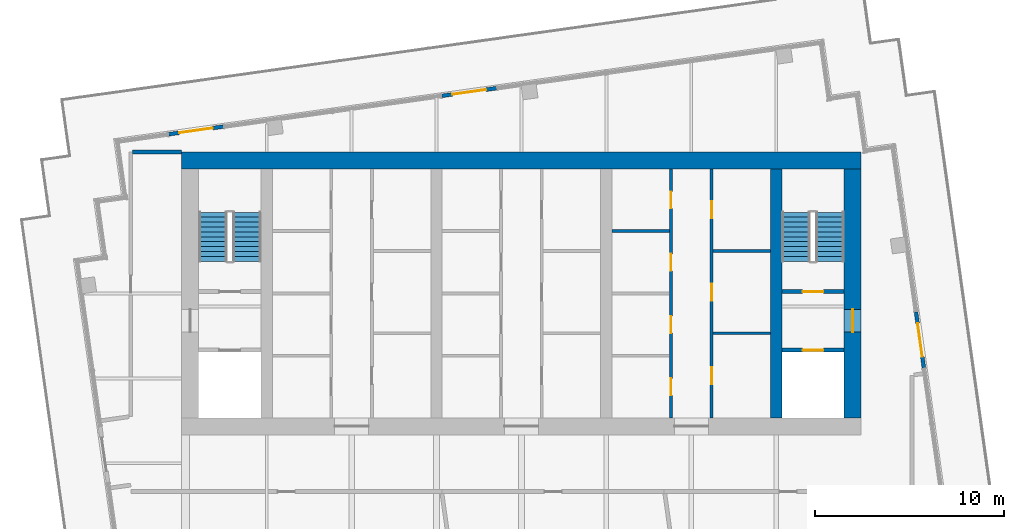
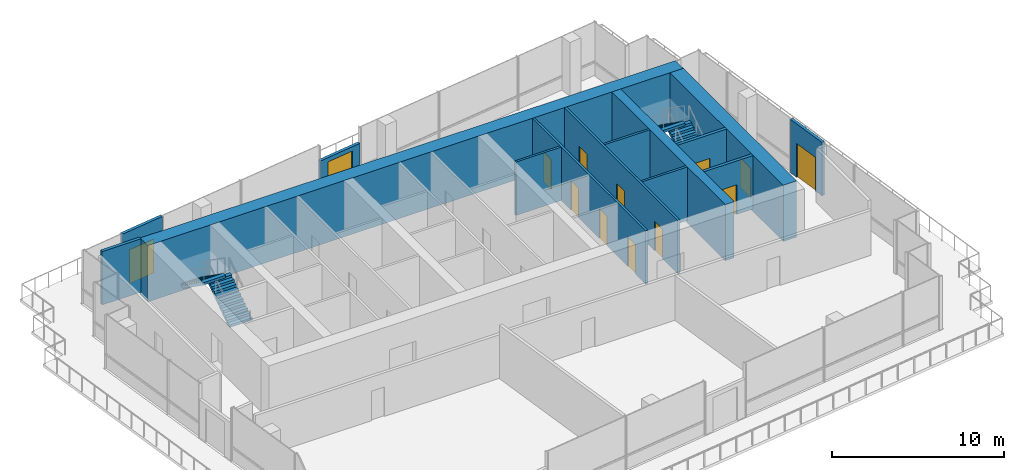
# One storey, part 8 of 12: 14 walls, 13 doors, 4 stair flights, 13 openings, 2 elements without a shape of their own.
"""IFC4 building model written with IfcOpenShell, lengths in metres."""

from ifc_helpers import new_model, si_unit, direction, frame, frame_2d, origin, place, context, subcontext, project, spatial, polyline, rectangle, outline, extrude, material, layer, layer_set, type_object, element, fill, aggregate, save


model = new_model("IFC4")

# Units and contexts
model_context = context("Model", 3, precision=1e-05, world=origin(), true_north=direction((0.0, 1.0)))
body_context = subcontext(model_context, "Body", "Model", "MODEL_VIEW")
ifc_project = project(units=[si_unit("LENGTHUNIT", "METRE"), si_unit("AREAUNIT", "SQUARE_METRE"), si_unit("VOLUMEUNIT", "CUBIC_METRE"), si_unit("PLANEANGLEUNIT", "RADIAN"), si_unit("MASSUNIT", "GRAM", prefix="KILO")], contexts=[model_context])

# Site, building, storey
site_placement = place(None, origin())
site = spatial("IfcSite", under=ifc_project, at=site_placement, CompositionType="ELEMENT")
building_placement = place(site_placement, origin())
building = spatial("IfcBuilding", under=site, at=building_placement, Name="Rattan Terrace Tower", CompositionType="ELEMENT")
storey_placement = place(building_placement, frame((0.0, 0.0, 292.300048828125)))
storey = spatial("IfcBuildingStorey", under=building, at=storey_placement, Name="C01", CompositionType="ELEMENT", Elevation=292.300048828125)

# Wall, openings, doors
ifc_material_1 = material(Name="Gypsum board partition")
ifc_layer_1 = layer(ifc_material_1, 0.14990234375)
ifc_layer_set_1 = layer_set([ifc_layer_1], Name="Core partition 150")
wall_type_1 = type_object("IfcWallType", Name="Core partition 150", PredefinedType="PARTITIONING", material=ifc_layer_set_1)
wall_1_placement = place(storey_placement, frame((7.925048828125, -6.60009765625, 0.0), z_axis=(0.0, 0.0, 1.0), x_axis=(0.0, 1.0, 0.0)))
wall_1 = element("IfcWall", 1, at=wall_1_placement, inside=storey, type_object=wall_type_1, Name="Core room wall", PredefinedType="PARTITIONING", context=body_context, shape_type="SweptSolid", body=[
    extrude(rectangle(XDim=13.2001953125, YDim=0.14990234375, at=frame_2d((6.60009765625, 0.0))), origin(), (0.0, 0.0, 1.0), 3.800048828125),
])
opening_1_placement = place(wall_1_placement, frame((1.199951171875, 0.0, 0.0)))
opening_1 = element("IfcOpeningElement", 2, at=opening_1_placement, cuts=wall_1, Name="Opening C01-D021", PredefinedType="OPENING", context=body_context, shape_type="SweptSolid", body=[
    extrude(rectangle(XDim=0.89990234375, YDim=2.10009765625, at=frame_2d((0.449951171875, 1.050048828125))), frame((0.0, 0.08544921875, 0.0), z_axis=(0.0, -1.0, 0.0), x_axis=(1.0, 0.0, 0.0)), (0.0, 0.0, 1.0), 0.1708984375),
])
opening_2_placement = place(wall_1_placement, frame((4.5, 0.0, 0.0)))
opening_2 = element("IfcOpeningElement", 3, at=opening_2_placement, cuts=wall_1, Name="Opening C01-D022", PredefinedType="OPENING", context=body_context, shape_type="SweptSolid", body=[
    extrude(rectangle(XDim=0.89990234375, YDim=2.10009765625, at=frame_2d((0.449951171875, 1.050048828125))), frame((0.0, 0.08544921875, 0.0), z_axis=(0.0, -1.0, 0.0), x_axis=(1.0, 0.0, 0.0)), (0.0, 0.0, 1.0), 0.1708984375),
])
opening_3_placement = place(wall_1_placement, frame((7.800048828125, 0.0, 0.0)))
opening_3 = element("IfcOpeningElement", 4, at=opening_3_placement, cuts=wall_1, Name="Opening C01-D023", PredefinedType="OPENING", context=body_context, shape_type="SweptSolid", body=[
    extrude(rectangle(XDim=0.89990234375, YDim=2.10009765625, at=frame_2d((0.449951171875, 1.050048828125))), frame((0.0, 0.08544921875, 0.0), z_axis=(0.0, -1.0, 0.0), x_axis=(1.0, 0.0, 0.0)), (0.0, 0.0, 1.0), 0.1708984375),
])
opening_4_placement = place(wall_1_placement, frame((11.10009765625, 0.0, 0.0)))
opening_4 = element("IfcOpeningElement", 5, at=opening_4_placement, cuts=wall_1, Name="Opening C01-D024", PredefinedType="OPENING", context=body_context, shape_type="SweptSolid", body=[
    extrude(rectangle(XDim=0.89990234375, YDim=2.10009765625, at=frame_2d((0.449951171875, 1.050048828125))), frame((0.0, 0.08544921875, 0.0), z_axis=(0.0, -1.0, 0.0), x_axis=(1.0, 0.0, 0.0)), (0.0, 0.0, 1.0), 0.1708984375),
])
ifc_material_2 = material(Name="Hollow-metal fire door leaf")
door_type_1 = type_object("IfcDoorType", Name="Core service room door 900", OperationType="NOTDEFINED", PredefinedType="DOOR", material=ifc_material_2)
door_1_placement = place(opening_1_placement, origin())
door_1 = element("IfcDoor", 6, at=door_1_placement, inside=storey, type_object=door_type_1, Name="Door C01-D021", OperationType="SINGLE_SWING_LEFT", OverallHeight=2.10009765625, OverallWidth=0.89990234375, PredefinedType="DOOR", context=body_context, shape_type="SweptSolid", body=[
    extrude(rectangle(XDim=0.89990234375, YDim=2.10009765625, at=frame_2d((0.449951171875, 1.050048828125))), frame((0.0, 0.02490234375, 0.0), z_axis=(0.0, -1.0, 0.0), x_axis=(1.0, 0.0, 0.0)), (0.0, 0.0, 1.0), 0.050048828125),
])
fill(opening_1, door_1)
door_2_placement = place(opening_2_placement, origin())
door_2 = element("IfcDoor", 7, at=door_2_placement, inside=storey, type_object=door_type_1, Name="Door C01-D022", OperationType="SINGLE_SWING_RIGHT", OverallHeight=2.10009765625, OverallWidth=0.89990234375, PredefinedType="DOOR", context=body_context, shape_type="SweptSolid", body=[
    extrude(rectangle(XDim=0.89990234375, YDim=2.10009765625, at=frame_2d((0.449951171875, 1.050048828125))), frame((0.0, 0.02490234375, 0.0), z_axis=(0.0, -1.0, 0.0), x_axis=(1.0, 0.0, 0.0)), (0.0, 0.0, 1.0), 0.050048828125),
])
fill(opening_2, door_2)
door_3_placement = place(opening_3_placement, origin())
door_3 = element("IfcDoor", 8, at=door_3_placement, inside=storey, type_object=door_type_1, Name="Door C01-D023", OperationType="SINGLE_SWING_LEFT", OverallHeight=2.10009765625, OverallWidth=0.89990234375, PredefinedType="DOOR", context=body_context, shape_type="SweptSolid", body=[
    extrude(rectangle(XDim=0.89990234375, YDim=2.10009765625, at=frame_2d((0.449951171875, 1.050048828125))), frame((0.0, 0.02490234375, 0.0), z_axis=(0.0, -1.0, 0.0), x_axis=(1.0, 0.0, 0.0)), (0.0, 0.0, 1.0), 0.050048828125),
])
fill(opening_3, door_3)
door_4_placement = place(opening_4_placement, origin())
door_4 = element("IfcDoor", 9, at=door_4_placement, inside=storey, type_object=door_type_1, Name="Door C01-D024", OperationType="SINGLE_SWING_RIGHT", OverallHeight=2.10009765625, OverallWidth=0.89990234375, PredefinedType="DOOR", context=body_context, shape_type="SweptSolid", body=[
    extrude(rectangle(XDim=0.89990234375, YDim=2.10009765625, at=frame_2d((0.449951171875, 1.050048828125))), frame((0.0, 0.02490234375, 0.0), z_axis=(0.0, -1.0, 0.0), x_axis=(1.0, 0.0, 0.0)), (0.0, 0.0, 1.0), 0.050048828125),
])
fill(opening_4, door_4)

# Wall
wall_2_placement = place(storey_placement, frame((4.800048828125, 3.300048828125, 0.0), z_axis=(0.0, 0.0, 1.0), x_axis=(1.0, 0.0, 0.0)))
element("IfcWall", 10, at=wall_2_placement, inside=storey, type_object=wall_type_1, Name="Core room wall", PredefinedType="PARTITIONING", context=body_context, shape_type="SweptSolid", body=[
    extrude(rectangle(XDim=3.050048828125, YDim=0.14990234375, at=frame_2d((1.52490234375, 0.0))), origin(), (0.0, 0.0, 1.0), 3.800048828125),
])

# Wall, openings, doors
wall_3_placement = place(storey_placement, frame((10.074951171875, -6.60009765625, 0.0), z_axis=(0.0, 0.0, 1.0), x_axis=(0.0, 1.0, 0.0)))
wall_3 = element("IfcWall", 11, at=wall_3_placement, inside=storey, type_object=wall_type_1, Name="Core room wall", PredefinedType="PARTITIONING", context=body_context, shape_type="SweptSolid", body=[
    extrude(rectangle(XDim=13.2001953125, YDim=0.14990234375, at=frame_2d((6.60009765625, 0.0))), origin(), (0.0, 0.0, 1.0), 3.800048828125),
])
opening_5_placement = place(wall_3_placement, frame((1.7939453125, 0.0, 0.0)))
opening_5 = element("IfcOpeningElement", 12, at=opening_5_placement, cuts=wall_3, Name="Opening C01-D025", PredefinedType="OPENING", context=body_context, shape_type="SweptSolid", body=[
    extrude(rectangle(XDim=0.89990234375, YDim=2.10009765625, at=frame_2d((0.449951171875, 1.050048828125))), frame((0.0, 0.08544921875, 0.0), z_axis=(0.0, -1.0, 0.0), x_axis=(1.0, 0.0, 0.0)), (0.0, 0.0, 1.0), 0.1708984375),
])
opening_6_placement = place(wall_3_placement, frame((6.216064453125, 0.0, 0.0)))
opening_6 = element("IfcOpeningElement", 13, at=opening_6_placement, cuts=wall_3, Name="Opening C01-D026", PredefinedType="OPENING", context=body_context, shape_type="SweptSolid", body=[
    extrude(rectangle(XDim=0.89990234375, YDim=2.10009765625, at=frame_2d((0.449951171875, 1.050048828125))), frame((0.0, 0.08544921875, 0.0), z_axis=(0.0, -1.0, 0.0), x_axis=(1.0, 0.0, 0.0)), (0.0, 0.0, 1.0), 0.1708984375),
])
opening_7_placement = place(wall_3_placement, frame((10.572021484375, 0.0, 0.0)))
opening_7 = element("IfcOpeningElement", 14, at=opening_7_placement, cuts=wall_3, Name="Opening C01-D027", PredefinedType="OPENING", context=body_context, shape_type="SweptSolid", body=[
    extrude(rectangle(XDim=0.89990234375, YDim=2.10009765625, at=frame_2d((0.449951171875, 1.050048828125))), frame((0.0, 0.08544921875, 0.0), z_axis=(0.0, -1.0, 0.0), x_axis=(1.0, 0.0, 0.0)), (0.0, 0.0, 1.0), 0.1708984375),
])
door_5_placement = place(opening_5_placement, origin())
door_5 = element("IfcDoor", 15, at=door_5_placement, inside=storey, type_object=door_type_1, Name="Door C01-D025", OperationType="SINGLE_SWING_LEFT", OverallHeight=2.10009765625, OverallWidth=0.89990234375, PredefinedType="DOOR", context=body_context, shape_type="SweptSolid", body=[
    extrude(rectangle(XDim=0.89990234375, YDim=2.10009765625, at=frame_2d((0.449951171875, 1.050048828125))), frame((0.0, 0.02490234375, 0.0), z_axis=(0.0, -1.0, 0.0), x_axis=(1.0, 0.0, 0.0)), (0.0, 0.0, 1.0), 0.050048828125),
])
fill(opening_5, door_5)
door_6_placement = place(opening_6_placement, origin())
door_6 = element("IfcDoor", 16, at=door_6_placement, inside=storey, type_object=door_type_1, Name="Door C01-D026", OperationType="SINGLE_SWING_RIGHT", OverallHeight=2.10009765625, OverallWidth=0.89990234375, PredefinedType="DOOR", context=body_context, shape_type="SweptSolid", body=[
    extrude(rectangle(XDim=0.89990234375, YDim=2.10009765625, at=frame_2d((0.449951171875, 1.050048828125))), frame((0.0, 0.02490234375, 0.0), z_axis=(0.0, -1.0, 0.0), x_axis=(1.0, 0.0, 0.0)), (0.0, 0.0, 1.0), 0.050048828125),
])
fill(opening_6, door_6)
door_7_placement = place(opening_7_placement, origin())
door_7 = element("IfcDoor", 17, at=door_7_placement, inside=storey, type_object=door_type_1, Name="Door C01-D027", OperationType="SINGLE_SWING_LEFT", OverallHeight=2.10009765625, OverallWidth=0.89990234375, PredefinedType="DOOR", context=body_context, shape_type="SweptSolid", body=[
    extrude(rectangle(XDim=0.89990234375, YDim=2.10009765625, at=frame_2d((0.449951171875, 1.050048828125))), frame((0.0, 0.02490234375, 0.0), z_axis=(0.0, -1.0, 0.0), x_axis=(1.0, 0.0, 0.0)), (0.0, 0.0, 1.0), 0.050048828125),
])
fill(opening_7, door_7)

# Walls
for number, where, z_axis, x_axis, name in (
    (18, (10.14990234375, -2.112060546875, 0.0), (0.0, 0.0, 1.0), (1.0, 0.0, 0.0), "Core room wall"),
    (19, (10.14990234375, 2.243896484375, 0.0), (0.0, 0.0, 1.0), (1.0, 0.0, 0.0), "Core room wall"),
):
    element("IfcWall", number, at=place(storey_placement, frame(where, z_axis=z_axis, x_axis=x_axis)), inside=storey, type_object=wall_type_1, Name=name, PredefinedType="PARTITIONING", context=body_context, shape_type="SweptSolid", body=[
        extrude(rectangle(XDim=3.050048828125, YDim=0.14990234375, at=frame_2d((1.52490234375, 0.0))), origin(), (0.0, 0.0, 1.0), 3.800048828125),
    ])

# Wall, opening, door
ifc_material_3 = material(Name="Gypsum board partition")
ifc_layer_2 = layer(ifc_material_3, 0.199951171875)
ifc_layer_set_2 = layer_set([ifc_layer_2], Name="Core partition 200")
wall_type_2 = type_object("IfcWallType", Name="Core partition 200", PredefinedType="PARTITIONING", material=ifc_layer_set_2)
wall_4_placement = place(storey_placement, frame((13.800048828125, -3.0, 0.0), z_axis=(0.0, 0.0, 1.0), x_axis=(1.0, 0.0, 0.0)))
wall_4 = element("IfcWall", 20, at=wall_4_placement, inside=storey, type_object=wall_type_2, Name="Fire-fighting lobby wall", PredefinedType="PARTITIONING", context=body_context, shape_type="SweptSolid", body=[
    extrude(rectangle(XDim=3.300048828125, YDim=0.199951171875, at=frame_2d((1.64990234375, 0.0))), origin(), (0.0, 0.0, 1.0), 3.800048828125),
])
opening_8_placement = place(wall_4_placement, frame((1.10009765625, 0.0, 0.0)))
opening_8 = element("IfcOpeningElement", 21, at=opening_8_placement, cuts=wall_4, Name="Opening C01-LD-FF2", PredefinedType="OPENING", context=body_context, shape_type="SweptSolid", body=[
    extrude(rectangle(XDim=1.10009765625, YDim=2.10009765625, at=frame_2d((0.550048828125, 1.050048828125))), frame((0.0, 0.110595703125, 0.0), z_axis=(0.0, -1.0, 0.0), x_axis=(1.0, 0.0, 0.0)), (0.0, 0.0, 1.0), 0.220947265625),
])
ifc_material_4 = material(Name="Brushed stainless landing door panel")
door_type_2 = type_object("IfcDoorType", Name="Core lift landing door 1100", OperationType="DOUBLE_DOOR_SLIDING", PredefinedType="DOOR", material=ifc_material_4)
door_8_placement = place(opening_8_placement, origin())
door_8 = element("IfcDoor", 22, at=door_8_placement, inside=storey, type_object=door_type_2, Name="Door C01-LD-FF2", OperationType="DOUBLE_DOOR_SLIDING", OverallHeight=2.10009765625, OverallWidth=1.10009765625, PredefinedType="DOOR", context=body_context, shape_type="SweptSolid", body=[
    extrude(rectangle(XDim=1.10009765625, YDim=2.10009765625, at=frame_2d((0.550048828125, 1.050048828125))), frame((0.0, 0.02490234375, 0.0), z_axis=(0.0, -1.0, 0.0), x_axis=(1.0, 0.0, 0.0)), (0.0, 0.0, 1.0), 0.050048828125),
])
fill(opening_8, door_8)

wall_5_placement = place(storey_placement, frame((13.800048828125, 0.10009765625, 0.0), z_axis=(0.0, 0.0, 1.0), x_axis=(1.0, 0.0, 0.0)))
wall_5 = element("IfcWall", 23, at=wall_5_placement, inside=storey, type_object=wall_type_2, Name="Stair enclosure wall", PredefinedType="PARTITIONING", context=body_context, shape_type="SweptSolid", body=[
    extrude(rectangle(XDim=3.300048828125, YDim=0.199951171875, at=frame_2d((1.64990234375, 0.0))), origin(), (0.0, 0.0, 1.0), 3.800048828125),
])
opening_9_placement = place(wall_5_placement, frame((1.10009765625, 0.0, 0.0)))
opening_9 = element("IfcOpeningElement", 24, at=opening_9_placement, cuts=wall_5, Name="Opening C01-D004", PredefinedType="OPENING", context=body_context, shape_type="SweptSolid", body=[
    extrude(rectangle(XDim=1.10009765625, YDim=2.10009765625, at=frame_2d((0.550048828125, 1.050048828125))), frame((0.0, 0.110595703125, 0.0), z_axis=(0.0, -1.0, 0.0), x_axis=(1.0, 0.0, 0.0)), (0.0, 0.0, 1.0), 0.220947265625),
])
ifc_material_5 = material(Name="Hollow-metal fire door leaf")
door_type_3 = type_object("IfcDoorType", Name="Core stair door 1100", OperationType="NOTDEFINED", PredefinedType="DOOR", material=ifc_material_5)
door_9_placement = place(opening_9_placement, origin())
door_9 = element("IfcDoor", 25, at=door_9_placement, inside=storey, type_object=door_type_3, Name="Door C01-D004", OperationType="SINGLE_SWING_RIGHT", OverallHeight=2.10009765625, OverallWidth=1.10009765625, PredefinedType="DOOR", context=body_context, shape_type="SweptSolid", body=[
    extrude(rectangle(XDim=1.10009765625, YDim=2.10009765625, at=frame_2d((0.550048828125, 1.050048828125))), frame((0.0, 0.02490234375, 0.0), z_axis=(0.0, -1.0, 0.0), x_axis=(1.0, 0.0, 0.0)), (0.0, 0.0, 1.0), 0.050048828125),
])
fill(opening_9, door_9)

# Wall
ifc_material_6 = material(Name="Concrete C50/60", Category="concrete")
ifc_layer_3 = layer(ifc_material_6, 0.89990234375)
ifc_layer_set_3 = layer_set([ifc_layer_3], Name="Core ring wall 900 C50/60")
wall_type_3 = type_object("IfcWallType", Name="Core ring wall 900 C50/60", PredefinedType="SHEAR", material=ifc_layer_set_3)
wall_6_placement = place(storey_placement, frame((-18.0, 7.050048828125, -0.199951171875), z_axis=(0.0, 0.0, 1.0), x_axis=(1.0, 0.0, 0.0)))
element("IfcWall", 26, at=wall_6_placement, inside=storey, type_object=wall_type_3, Name="Rear core wall north", PredefinedType="SHEAR", context=body_context, shape_type="SweptSolid", body=[
    extrude(rectangle(XDim=36.0, YDim=0.89990234375, at=frame_2d((18.0, 0.0))), origin(), (0.0, 0.0, 1.0), 4.0),
])

# Wall, opening, door
wall_7_placement = place(storey_placement, frame((17.550048828125, -6.60009765625, -0.199951171875), z_axis=(0.0, 0.0, 1.0), x_axis=(0.0, 1.0, 0.0)))
wall_7 = element("IfcWall", 27, at=wall_7_placement, inside=storey, type_object=wall_type_3, Name="Rear core wall east", PredefinedType="SHEAR", context=body_context, shape_type="SweptSolid", body=[
    extrude(rectangle(XDim=13.2001953125, YDim=0.89990234375, at=frame_2d((6.60009765625, 0.0))), origin(), (0.0, 0.0, 1.0), 4.0),
])
opening_10_placement = place(wall_7_placement, frame((4.550048828125, 0.0, 0.199951171875)))
opening_10 = element("IfcOpeningElement", 28, at=opening_10_placement, cuts=wall_7, Name="Opening C01-D003", PredefinedType="OPENING", context=body_context, shape_type="SweptSolid", body=[
    extrude(rectangle(XDim=1.199951171875, YDim=2.10009765625, at=frame_2d((0.60009765625, 1.050048828125))), frame((0.0, 0.46044921875, 0.0), z_axis=(0.0, -1.0, 0.0), x_axis=(1.0, 0.0, 0.0)), (0.0, 0.0, 1.0), 0.9208984375),
])
ifc_material_7 = material(Name="Hollow-metal fire door leaf")
door_type_4 = type_object("IfcDoorType", Name="Core fire-fighting lobby door 1200", OperationType="NOTDEFINED", PredefinedType="DOOR", material=ifc_material_7)
door_10_placement = place(opening_10_placement, origin())
door_10 = element("IfcDoor", 29, at=door_10_placement, inside=storey, type_object=door_type_4, Name="Door C01-D003", OperationType="SINGLE_SWING_LEFT", OverallHeight=2.10009765625, OverallWidth=1.199951171875, PredefinedType="DOOR", context=body_context, shape_type="SweptSolid", body=[
    extrude(rectangle(XDim=1.199951171875, YDim=2.10009765625, at=frame_2d((0.60009765625, 1.050048828125))), frame((0.0, 0.02490234375, 0.0), z_axis=(0.0, -1.0, 0.0), x_axis=(1.0, 0.0, 0.0)), (0.0, 0.0, 1.0), 0.050048828125),
])
fill(opening_10, door_10)

# Wall
ifc_material_8 = material(Name="Concrete C50/60", Category="concrete")
ifc_layer_4 = layer(ifc_material_8, 0.60009765625)
ifc_layer_set_4 = layer_set([ifc_layer_4], Name="Core spine wall 600 C50/60")
wall_type_4 = type_object("IfcWallType", Name="Core spine wall 600 C50/60", PredefinedType="SHEAR", material=ifc_layer_set_4)
wall_8_placement = place(storey_placement, frame((13.5, -6.60009765625, -0.199951171875), z_axis=(0.0, 0.0, 1.0), x_axis=(0.0, 1.0, 0.0)))
element("IfcWall", 30, at=wall_8_placement, inside=storey, type_object=wall_type_4, Name="Core spine wall 4", PredefinedType="SHEAR", context=body_context, shape_type="SweptSolid", body=[
    extrude(rectangle(XDim=13.2001953125, YDim=0.60009765625, at=frame_2d((6.60009765625, 0.0))), origin(), (0.0, 0.0, 1.0), 4.0),
])

# Wall, opening, door
ifc_material_9 = material(Name="Insulated aluminium-clad stud wall", Category="aluminium")
ifc_layer_5 = layer(ifc_material_9, 0.199951171875)
ifc_layer_set_5 = layer_set([ifc_layer_5], Name="Facade Door Wall 200")
wall_type_5 = type_object("IfcWallType", Name="Facade Door Wall 200", PredefinedType="SOLIDWALL", material=ifc_layer_set_5)
wall_9_placement = place(storey_placement, frame((21.325927734375, -3.9482421875, 0.0), z_axis=(0.0, 0.0, 1.0), x_axis=(-0.139165050317, 0.990269200152, 0.0)))
wall_9 = element("IfcWall", 31, at=wall_9_placement, inside=storey, type_object=wall_type_5, Name="Terrace door wall C01-4", PredefinedType="SOLIDWALL", context=body_context, shape_type="SweptSolid", body=[
    extrude(rectangle(XDim=3.0, YDim=0.199951171875, at=frame_2d((1.5, 0.0))), origin(), (0.0, 0.0, 1.0), 3.800048828125),
])
opening_11_placement = place(wall_9_placement, frame((0.60009765625, 0.0, 0.0)))
opening_11 = element("IfcOpeningElement", 32, at=opening_11_placement, cuts=wall_9, Name="Opening C01-D704", PredefinedType="OPENING", context=body_context, shape_type="SweptSolid", body=[
    extrude(rectangle(XDim=1.800048828125, YDim=2.39990234375, at=frame_2d((0.89990234375, 1.199951171875))), frame((0.0, 0.110595703125, 0.0), z_axis=(0.0, -1.0, 0.0), x_axis=(1.0, 0.0, 0.0)), (0.0, 0.0, 1.0), 0.220947265625),
])
ifc_material_10 = material(Name="Aluminium and clear glass", Category="aluminium")
door_type_5 = type_object("IfcDoorType", Name="Facade Terrace Door 1800", OperationType="DOUBLE_DOOR_SINGLE_SWING", PredefinedType="DOOR", material=ifc_material_10)
door_11_placement = place(opening_11_placement, origin())
door_11 = element("IfcDoor", 33, at=door_11_placement, inside=storey, type_object=door_type_5, Name="Terrace door C01-D704", OperationType="DOUBLE_DOOR_SINGLE_SWING", OverallHeight=2.39990234375, OverallWidth=1.800048828125, PredefinedType="DOOR", context=body_context, shape_type="SweptSolid", body=[
    extrude(rectangle(XDim=1.800048828125, YDim=2.39990234375, at=frame_2d((0.89990234375, 1.199951171875))), frame((0.0, 0.02490234375, 0.0), z_axis=(0.0, -1.0, 0.0), x_axis=(1.0, 0.0, 0.0)), (0.0, 0.0, 1.0), 0.050048828125),
])
fill(opening_11, door_11)

wall_10_placement = place(storey_placement, frame((-1.32470703125, 10.874755859375, 0.0), z_axis=(0.0, 0.0, 1.0), x_axis=(-0.990259458072, -0.139234355314, 0.0)))
wall_10 = element("IfcWall", 34, at=wall_10_placement, inside=storey, type_object=wall_type_5, Name="Terrace door wall C01-5", PredefinedType="SOLIDWALL", context=body_context, shape_type="SweptSolid", body=[
    extrude(rectangle(XDim=2.923095703125, YDim=0.199951171875, at=frame_2d((1.46142578125, 0.0))), origin(), (0.0, 0.0, 1.0), 2.699951171875),
])
opening_12_placement = place(wall_10_placement, frame((0.5615234375, 0.0, 0.0)))
opening_12 = element("IfcOpeningElement", 35, at=opening_12_placement, cuts=wall_10, Name="Opening C01-D705", PredefinedType="OPENING", context=body_context, shape_type="SweptSolid", body=[
    extrude(rectangle(XDim=1.800048828125, YDim=2.39990234375, at=frame_2d((0.89990234375, 1.199951171875))), frame((0.0, 0.110595703125, 0.0), z_axis=(0.0, -1.0, 0.0), x_axis=(1.0, 0.0, 0.0)), (0.0, 0.0, 1.0), 0.220947265625),
])
door_12_placement = place(opening_12_placement, origin())
door_12 = element("IfcDoor", 36, at=door_12_placement, inside=storey, type_object=door_type_5, Name="Terrace door C01-D705", OperationType="DOUBLE_DOOR_SINGLE_SWING", OverallHeight=2.39990234375, OverallWidth=1.800048828125, PredefinedType="DOOR", context=body_context, shape_type="SweptSolid", body=[
    extrude(rectangle(XDim=1.800048828125, YDim=2.39990234375, at=frame_2d((0.89990234375, 1.199951171875))), frame((0.0, 0.02490234375, 0.0), z_axis=(0.0, -1.0, 0.0), x_axis=(1.0, 0.0, 0.0)), (0.0, 0.0, 1.0), 0.050048828125),
])
fill(opening_12, door_12)

wall_11_placement = place(storey_placement, frame((-15.79736328125, 8.840576171875, 0.0), z_axis=(0.0, 0.0, 1.0), x_axis=(-0.990270970939, -0.139152449189, 0.0)))
wall_11 = element("IfcWall", 37, at=wall_11_placement, inside=storey, type_object=wall_type_5, Name="Terrace door wall C01-6", PredefinedType="SOLIDWALL", context=body_context, shape_type="SweptSolid", body=[
    extrude(rectangle(XDim=2.9228515625, YDim=0.199951171875, at=frame_2d((1.46142578125, 0.0))), origin(), (0.0, 0.0, 1.0), 3.800048828125),
])
opening_13_placement = place(wall_11_placement, frame((0.5615234375, 0.0, 0.0)))
opening_13 = element("IfcOpeningElement", 38, at=opening_13_placement, cuts=wall_11, Name="Opening C01-D706", PredefinedType="OPENING", context=body_context, shape_type="SweptSolid", body=[
    extrude(rectangle(XDim=1.800048828125, YDim=2.39990234375, at=frame_2d((0.89990234375, 1.199951171875))), frame((0.0, 0.110595703125, 0.0), z_axis=(0.0, -1.0, 0.0), x_axis=(1.0, 0.0, 0.0)), (0.0, 0.0, 1.0), 0.220947265625),
])
door_13_placement = place(opening_13_placement, origin())
door_13 = element("IfcDoor", 39, at=door_13_placement, inside=storey, type_object=door_type_5, Name="Terrace door C01-D706", OperationType="DOUBLE_DOOR_SINGLE_SWING", OverallHeight=2.39990234375, OverallWidth=1.800048828125, PredefinedType="DOOR", context=body_context, shape_type="SweptSolid", body=[
    extrude(rectangle(XDim=1.800048828125, YDim=2.39990234375, at=frame_2d((0.89990234375, 1.199951171875))), frame((0.0, 0.02490234375, 0.0), z_axis=(0.0, -1.0, 0.0), x_axis=(1.0, 0.0, 0.0)), (0.0, 0.0, 1.0), 0.050048828125),
])
fill(opening_13, door_13)

# Wall
ifc_material_11 = material(Name="Concrete block wall, plastered", Category="concrete")
ifc_layer_6 = layer(ifc_material_11, 0.199951171875)
ifc_layer_set_6 = layer_set([ifc_layer_6], Name="Floors Plant Wall 200")
wall_type_6 = type_object("IfcWallType", Name="Floors Plant Wall 200", PredefinedType="PARTITIONING", material=ifc_layer_set_6)
wall_12_placement = place(storey_placement, frame((-20.60009765625, 7.5009765625, 0.0), z_axis=(0.0, 0.0, 1.0), x_axis=(1.0, 0.0, 0.0)))
element("IfcWall", 40, at=wall_12_placement, inside=storey, type_object=wall_type_6, Name="pt-C01-009", PredefinedType="PARTITIONING", context=body_context, shape_type="SweptSolid", body=[
    extrude(rectangle(XDim=2.60009765625, YDim=0.199951171875, at=frame_2d((1.300048828125, 0.0))), origin(), (0.0, 0.0, 1.0), 3.800048828125),
])

# Stair, stair flights
ifc_material_12 = material(Name="Concrete C40/50", Category="concrete")
stair_type = type_object("IfcStairType", Name="Core exit stair 1500", PredefinedType="HALF_TURN_STAIR", material=ifc_material_12)
stair_1_placement = place(storey_placement, origin())
stair_1 = element("IfcStair", 41, at=stair_1_placement, inside=storey, type_object=stair_type, Name="C01 exit stair 1", PredefinedType="HALF_TURN_STAIR")
ifc_material_13 = material(Name="Concrete C40/50", Category="concrete")
stair_flight_type = type_object("IfcStairFlightType", Name="Core exit stair flight 1500", PredefinedType="STRAIGHT", material=ifc_material_13)
stair_flight_1_placement = place(storey_placement, frame((-14.550048828125, 1.699951171875, 0.0), z_axis=(0.0, 0.0, 1.0), x_axis=(0.0, 1.0, 0.0)))
stair_flight_1 = element("IfcStairFlight", 42, at=stair_flight_1_placement, type_object=stair_flight_type, Name="S1 flight 1", NumberOfRisers=11, NumberOfTreads=10, PredefinedType="STRAIGHT", RiserHeight=0.181818182, TreadLength=0.26, context=body_context, shape_type="SweptSolid", body=[
    extrude(outline(polyline([(0.0, 0.0), (0.0, 0.181884765625), (0.260009765625, 0.181884765625), (0.260009765625, 0.363525390625), (0.52001953125, 0.363525390625), (0.52001953125, 0.54541015625), (0.780029296875, 0.54541015625), (0.780029296875, 0.727294921875), (1.0400390625, 0.727294921875), (1.0400390625, 0.9091796875), (1.300048828125, 0.9091796875), (1.300048828125, 1.0908203125), (1.56005859375, 1.0908203125), (1.56005859375, 1.272705078125), (1.820068359375, 1.272705078125), (1.820068359375, 1.45458984375), (2.080078125, 1.45458984375), (2.080078125, 1.636474609375), (2.340087890625, 1.636474609375), (2.340087890625, 1.818115234375), (2.60009765625, 1.818115234375), (2.60009765625, 2.0), (2.60009765625, 1.63525390625), (0.261474609375, 0.0), (0.0, 0.0)])), frame((0.0, 0.75, 0.0), z_axis=(0.0, -1.0, 0.0), x_axis=(1.0, 0.0, 0.0)), (0.0, 0.0, 1.0), 1.5),
])
stair_flight_2_placement = place(storey_placement, frame((-16.35009765625, 4.300048828125, 2.0), z_axis=(0.0, 0.0, 1.0), x_axis=(0.0, -1.0, 0.0)))
stair_flight_2 = element("IfcStairFlight", 43, at=stair_flight_2_placement, type_object=stair_flight_type, Name="S1 flight 2", NumberOfRisers=11, NumberOfTreads=10, PredefinedType="STRAIGHT", RiserHeight=0.181818182, TreadLength=0.26, context=body_context, shape_type="SweptSolid", body=[
    extrude(outline(polyline([(0.0, 0.0), (0.0, 0.181884765625), (0.260009765625, 0.181884765625), (0.260009765625, 0.363525390625), (0.52001953125, 0.363525390625), (0.52001953125, 0.54541015625), (0.780029296875, 0.54541015625), (0.780029296875, 0.727294921875), (1.0400390625, 0.727294921875), (1.0400390625, 0.9091796875), (1.300048828125, 0.9091796875), (1.300048828125, 1.0908203125), (1.56005859375, 1.0908203125), (1.56005859375, 1.272705078125), (1.820068359375, 1.272705078125), (1.820068359375, 1.45458984375), (2.080078125, 1.45458984375), (2.080078125, 1.636474609375), (2.340087890625, 1.636474609375), (2.340087890625, 1.818115234375), (2.60009765625, 1.818115234375), (2.60009765625, 2.0), (2.60009765625, 1.63525390625), (0.261474609375, 0.0), (0.0, 0.0)])), frame((0.0, 0.75, 0.0), z_axis=(0.0, -1.0, 0.0), x_axis=(1.0, 0.0, 0.0)), (0.0, 0.0, 1.0), 1.5),
])
aggregate(stair_1, [stair_flight_1, stair_flight_2])

stair_2_placement = place(storey_placement, origin())
stair_2 = element("IfcStair", 44, at=stair_2_placement, inside=storey, type_object=stair_type, Name="C01 exit stair 2", PredefinedType="HALF_TURN_STAIR")
stair_flight_3_placement = place(storey_placement, frame((16.35009765625, 1.699951171875, 0.0), z_axis=(0.0, 0.0, 1.0), x_axis=(0.0, 1.0, 0.0)))
stair_flight_3 = element("IfcStairFlight", 45, at=stair_flight_3_placement, type_object=stair_flight_type, Name="S2 flight 1", NumberOfRisers=11, NumberOfTreads=10, PredefinedType="STRAIGHT", RiserHeight=0.181818182, TreadLength=0.26, context=body_context, shape_type="SweptSolid", body=[
    extrude(outline(polyline([(0.0, 0.0), (0.0, 0.181884765625), (0.260009765625, 0.181884765625), (0.260009765625, 0.363525390625), (0.52001953125, 0.363525390625), (0.52001953125, 0.54541015625), (0.780029296875, 0.54541015625), (0.780029296875, 0.727294921875), (1.0400390625, 0.727294921875), (1.0400390625, 0.9091796875), (1.300048828125, 0.9091796875), (1.300048828125, 1.0908203125), (1.56005859375, 1.0908203125), (1.56005859375, 1.272705078125), (1.820068359375, 1.272705078125), (1.820068359375, 1.45458984375), (2.080078125, 1.45458984375), (2.080078125, 1.636474609375), (2.340087890625, 1.636474609375), (2.340087890625, 1.818115234375), (2.60009765625, 1.818115234375), (2.60009765625, 2.0), (2.60009765625, 1.63525390625), (0.261474609375, 0.0), (0.0, 0.0)])), frame((0.0, 0.75, 0.0), z_axis=(0.0, -1.0, 0.0), x_axis=(1.0, 0.0, 0.0)), (0.0, 0.0, 1.0), 1.5),
])
stair_flight_4_placement = place(storey_placement, frame((14.550048828125, 4.300048828125, 2.0), z_axis=(0.0, 0.0, 1.0), x_axis=(0.0, -1.0, 0.0)))
stair_flight_4 = element("IfcStairFlight", 46, at=stair_flight_4_placement, type_object=stair_flight_type, Name="S2 flight 2", NumberOfRisers=11, NumberOfTreads=10, PredefinedType="STRAIGHT", RiserHeight=0.181818182, TreadLength=0.26, context=body_context, shape_type="SweptSolid", body=[
    extrude(outline(polyline([(0.0, 0.0), (0.0, 0.181884765625), (0.260009765625, 0.181884765625), (0.260009765625, 0.363525390625), (0.52001953125, 0.363525390625), (0.52001953125, 0.54541015625), (0.780029296875, 0.54541015625), (0.780029296875, 0.727294921875), (1.0400390625, 0.727294921875), (1.0400390625, 0.9091796875), (1.300048828125, 0.9091796875), (1.300048828125, 1.0908203125), (1.56005859375, 1.0908203125), (1.56005859375, 1.272705078125), (1.820068359375, 1.272705078125), (1.820068359375, 1.45458984375), (2.080078125, 1.45458984375), (2.080078125, 1.636474609375), (2.340087890625, 1.636474609375), (2.340087890625, 1.818115234375), (2.60009765625, 1.818115234375), (2.60009765625, 2.0), (2.60009765625, 1.63525390625), (0.261474609375, 0.0), (0.0, 0.0)])), frame((0.0, 0.75, 0.0), z_axis=(0.0, -1.0, 0.0), x_axis=(1.0, 0.0, 0.0)), (0.0, 0.0, 1.0), 1.5),
])
aggregate(stair_2, [stair_flight_3, stair_flight_4])

save(model, "model.ifc")
